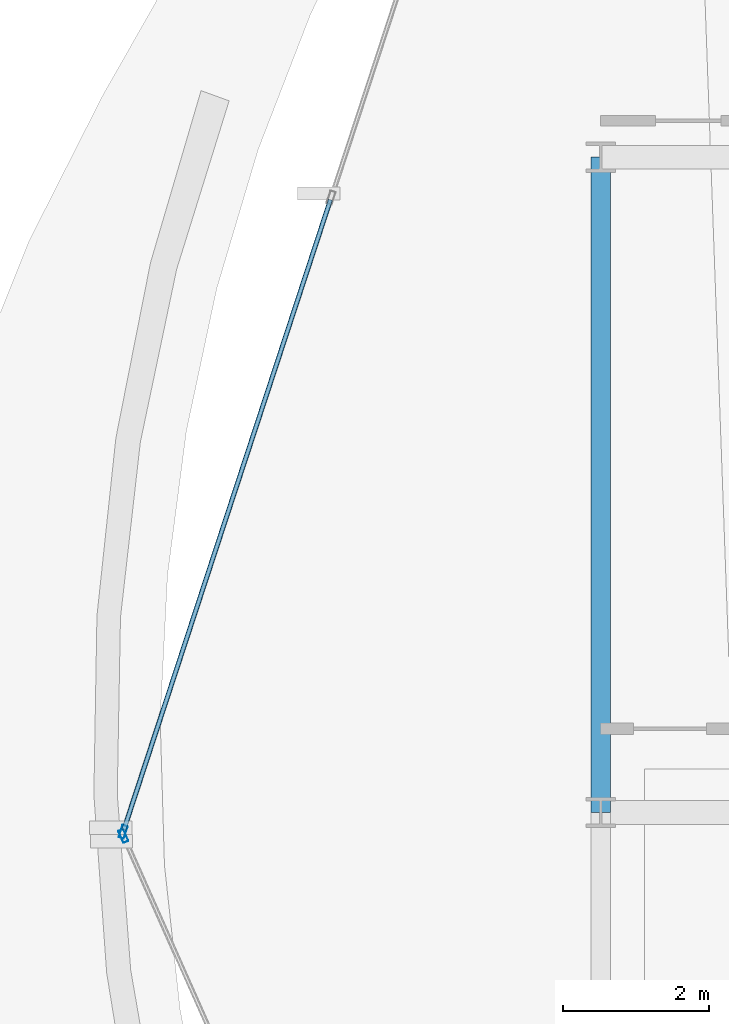
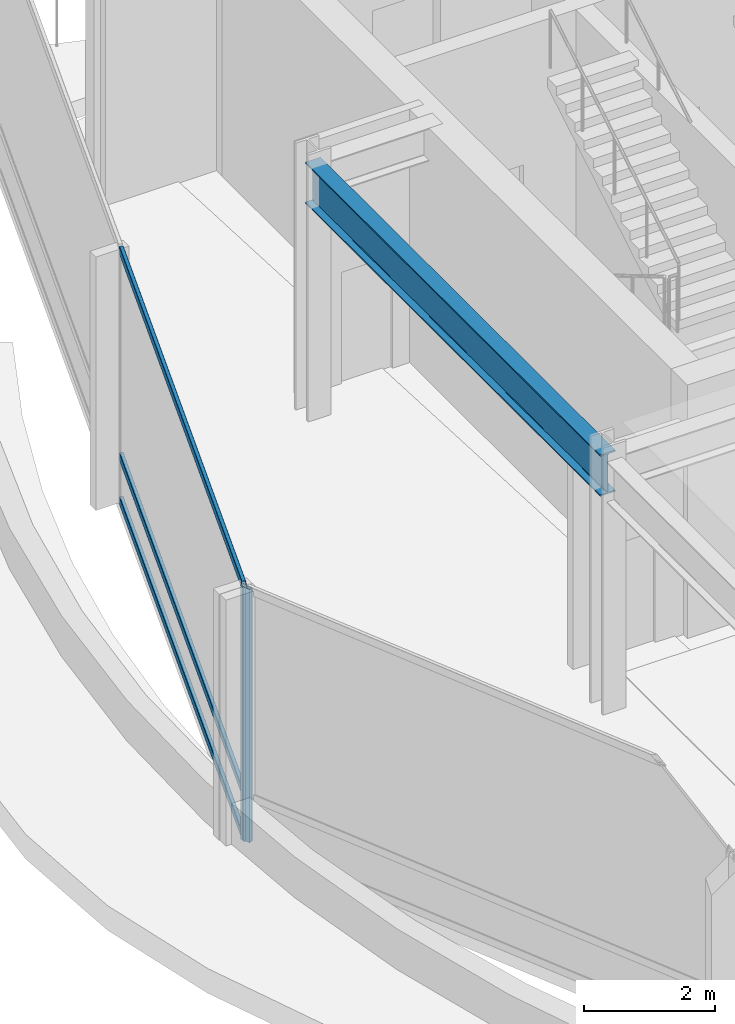
# One storey, part 7 of 29: 5 members, 1 beam, 2 elements without a shape of their own.
"""IFC4 building model written with IfcOpenShell, lengths in metres."""

import ifcopenshell
import ifcopenshell.guid

model = None  # the IFC model being written
_history = None  # IfcOwnerHistory: only IFC2X3 demands one
_inside = {}  # id of a spatial element -> (the spatial element, [elements in it])
_under = {}  # id of a project, library or spatial element -> (it, [spatial elements below it])
_declared = {}  # id of a project -> (the project, [libraries it declares])
_typed = {}  # id of a type object -> (the type object, [elements of that type])
_made_of = {}  # id of a material, layer set ... -> (it, [elements and type objects made of it])


def new_model(schema):
    """Start an empty IFC model of exactly this schema.

    Asked for "IFC4X3", IfcOpenShell would pick the latest addendum, in which some entities
    have other attributes; the version numbers below select the first issue.
    IFC2X3 requires an IfcOwnerHistory on every rooted entity: one is made here for all.
    """
    global model, _history
    if schema == "IFC4X3":
        model = ifcopenshell.file(schema_version=(4, 3, 0, 0))
    else:
        model = ifcopenshell.file(schema=schema)
    _inside.clear()
    _under.clear()
    _declared.clear()
    _typed.clear()
    _made_of.clear()
    _history = None
    if model.schema == "IFC2X3":
        org = make("IfcOrganization", Name="unknown")
        user = make(
            "IfcPersonAndOrganization",
            ThePerson=make("IfcPerson", FamilyName="unknown"),
            TheOrganization=org,
        )
        app = make(
            "IfcApplication",
            ApplicationDeveloper=org,
            Version="unknown",
            ApplicationFullName="unknown",
            ApplicationIdentifier="unknown",
        )
        _history = make(
            "IfcOwnerHistory",
            OwningUser=user,
            OwningApplication=app,
            ChangeAction="ADDED",
            CreationDate=0,
        )
    return model


def make(cls, **values):
    """One entity of the class cls with the attributes given. An attribute that is None is left unset."""
    return model.create_entity(
        cls, **{name: value for name, value in values.items() if value is not None}
    )


def rooted(cls, **values):
    """An entity with a GlobalId (a new one), such as an element, a storey or a relation."""
    return make(cls, GlobalId=ifcopenshell.guid.new(), OwnerHistory=_history, **values)


def si_unit(unit_type, name, prefix=None):
    """IfcSIUnit, for example si_unit("LENGTHUNIT", "METRE", prefix="MILLI")."""
    return make("IfcSIUnit", UnitType=unit_type, Prefix=prefix, Name=name)


def assignment(units):
    """IfcUnitAssignment: the units of a project."""
    return None if units is None else make("IfcUnitAssignment", Units=units)


def point(xyz):
    """IfcCartesianPoint."""
    return None if xyz is None else make("IfcCartesianPoint", Coordinates=xyz)


def direction(xyz):
    """IfcDirection."""
    return None if xyz is None else make("IfcDirection", DirectionRatios=xyz)


def frame(location, z_axis=None, x_axis=None):
    """IfcAxis2Placement3D, a coordinate frame: its origin and axes. An axis left out is left unset."""
    return make(
        "IfcAxis2Placement3D",
        Location=point(location),
        Axis=direction(z_axis),
        RefDirection=direction(x_axis),
    )


def frame_2d(location, x_axis=None):
    """IfcAxis2Placement2D, a coordinate frame in the plane: its origin and x axis."""
    return make(
        "IfcAxis2Placement2D", Location=point(location), RefDirection=direction(x_axis)
    )


def origin():
    """The frame at (0, 0, 0) with its axes left unset."""
    return frame((0.0, 0.0, 0.0))


def origin_2d():
    """The frame at (0, 0) in the plane with its x axis left unset."""
    return frame_2d((0.0, 0.0))


def place(relative_to, where):
    """IfcLocalPlacement: puts the frame where relative to a parent placement (None: the world)."""
    return make(
        "IfcLocalPlacement", PlacementRelTo=relative_to, RelativePlacement=where
    )


def context(
    kind, dimensions, precision=None, world=None, true_north=None, identifier=None
):
    """IfcGeometricRepresentationContext, for example the 3D "Model" context."""
    return make(
        "IfcGeometricRepresentationContext",
        ContextIdentifier=identifier,
        ContextType=kind,
        CoordinateSpaceDimension=dimensions,
        Precision=precision,
        WorldCoordinateSystem=world,
        TrueNorth=true_north,
    )


def subcontext(parent, identifier, kind, view, scale=None):
    """IfcGeometricRepresentationSubContext, for example "Body" below "Model"."""
    return make(
        "IfcGeometricRepresentationSubContext",
        ContextIdentifier=identifier,
        ContextType=kind,
        ParentContext=parent,
        TargetScale=scale,
        TargetView=view,
    )


def project(units=None, contexts=None):
    """IfcProject with its units and contexts."""
    return rooted(
        "IfcProject",
        Name="project",
        RepresentationContexts=contexts,
        UnitsInContext=assignment(units),
    )


def spatial(cls, under=None, at=None, **own):
    """A site, building, storey or space (cls), placed at a placement, below another one or the project."""
    s = rooted(cls, ObjectPlacement=at, **own)
    if under is not None:
        _under.setdefault(under.id(), (under, []))[1].append(s)
    return s


def profile(cls, at=None, kind="AREA", **sizes):
    """A parametric profile (cls). Its sizes go by their IFC names, for example OverallWidth=200.0."""
    return make(cls, ProfileType=kind, Position=at, **sizes)


def hollow_rectangle(**sizes):
    """IfcRectangleHollowProfileDef."""
    return profile("IfcRectangleHollowProfileDef", **sizes)


def i_section(**sizes):
    """IfcIShapeProfileDef."""
    return profile("IfcIShapeProfileDef", **sizes)


def extrude(swept, where, along, depth):
    """IfcExtrudedAreaSolid: the profile swept, set in the frame where, extruded along a direction by depth."""
    return make(
        "IfcExtrudedAreaSolid",
        SweptArea=swept,
        Position=where,
        ExtrudedDirection=direction(along),
        Depth=depth,
    )


def shape(context_of_items, identifier, shape_type, items):
    """IfcShapeRepresentation: the items that make up one representation, for example the "Body"."""
    return make(
        "IfcShapeRepresentation",
        ContextOfItems=context_of_items,
        RepresentationIdentifier=identifier,
        RepresentationType=shape_type,
        Items=items,
    )


def material(Name=None, Category=None):
    """IfcMaterial."""
    return make("IfcMaterial", Name=Name, Category=Category)


def layer(
    of_material, thickness, ventilated=None, Name=None, Category=None, Priority=None
):
    """IfcMaterialLayer: one layer of a wall or slab, of a material (None: an air gap)."""
    return make(
        "IfcMaterialLayer",
        Material=of_material,
        LayerThickness=thickness,
        IsVentilated=ventilated,
        Name=Name,
        Category=Category,
        Priority=Priority,
    )


def layer_set(layers, Name=None):
    """IfcMaterialLayerSet."""
    return make("IfcMaterialLayerSet", MaterialLayers=layers, LayerSetName=Name)


def material_profile(
    of_material, cross_section, Name=None, Category=None, Priority=None
):
    """IfcMaterialProfile: a cross section and its material."""
    return make(
        "IfcMaterialProfile",
        Name=Name,
        Material=of_material,
        Profile=cross_section,
        Priority=Priority,
        Category=Category,
    )


def profile_set(profiles, Name=None, composite=None):
    """IfcMaterialProfileSet."""
    return make(
        "IfcMaterialProfileSet",
        Name=Name,
        MaterialProfiles=profiles,
        CompositeProfile=composite,
    )


def made_of(thing, what):
    """Note that an element or type object is made of a material, layer set ...; save() writes the relation."""
    if what is not None:
        _made_of.setdefault(what.id(), (what, []))[1].append(thing)
    return thing


def type_object(cls, material=None, **own):
    """A type object (cls), such as IfcWallType, which elements share."""
    return made_of(rooted(cls, **own), material)


def element(
    cls,
    number,
    at=None,
    inside=None,
    cuts=None,
    type_object=None,
    material=None,
    context=None,
    identifier="Body",
    shape_type=None,
    held_by="IfcProductDefinitionShape",
    body=None,
    shapes=None,
    **own,
):
    """One element of the class cls, such as IfcWall. Its Tag is "e" and its number.

    at: its placement. inside: the storey or other place that contains it. cuts: it is an
    opening in that element (IfcRelVoidsElement). A single representation is given by context,
    identifier, shape_type and body (its items); several are given by shapes. held_by: the class
    of the entity that holds the representations. save() writes the other relations.
    """
    e = rooted(cls, Tag="e%d" % number, ObjectPlacement=at, **own)
    if body is not None:
        shapes = [shape(context, identifier, shape_type, body)]
    if shapes is not None:
        e.Representation = make(held_by, Representations=shapes)
    if inside is not None:
        _inside.setdefault(inside.id(), (inside, []))[1].append(e)
    if cuts is not None:
        rooted(
            "IfcRelVoidsElement", RelatingBuildingElement=cuts, RelatedOpeningElement=e
        )
    if type_object is not None:
        _typed.setdefault(type_object.id(), (type_object, []))[1].append(e)
    return made_of(e, material)


def aggregate(whole, parts):
    """IfcRelAggregates: a whole, such as a stair, and the parts it consists of."""
    return rooted("IfcRelAggregates", RelatingObject=whole, RelatedObjects=parts)


def save(model, path):
    """Write the relations noted so far, then the file.

    IfcRelAggregates (storeys below a building ...), IfcRelContainedInSpatialStructure (elements
    in a storey), IfcRelDefinesByType, IfcRelAssociatesMaterial and IfcRelDeclares: one each for
    every whole, place, type object, material and project.
    """
    for whole, parts in _under.values():
        aggregate(whole, parts)
    for where, things in _inside.values():
        rooted(
            "IfcRelContainedInSpatialStructure",
            RelatedElements=things,
            RelatingStructure=where,
        )
    for kind, things in _typed.values():
        rooted("IfcRelDefinesByType", RelatedObjects=things, RelatingType=kind)
    for what, things in _made_of.values():
        rooted("IfcRelAssociatesMaterial", RelatedObjects=things, RelatingMaterial=what)
    for by, libraries in _declared.values():
        rooted("IfcRelDeclares", RelatingContext=by, RelatedDefinitions=libraries)
    model.write(path)


model = new_model("IFC4")

# Units and contexts
model_context = context("Model", 3, precision=1e-05, world=origin(), true_north=direction((0.0, 1.0)))
body_context = subcontext(model_context, "Body", "Model", "MODEL_VIEW")
ifc_project = project(units=[si_unit("LENGTHUNIT", "METRE"), si_unit("AREAUNIT", "SQUARE_METRE"), si_unit("VOLUMEUNIT", "CUBIC_METRE"), si_unit("PLANEANGLEUNIT", "RADIAN"), si_unit("MASSUNIT", "GRAM", prefix="KILO")], contexts=[model_context])

# Site, building, storey
site_placement = place(None, origin())
site = spatial("IfcSite", under=ifc_project, at=site_placement, CompositionType="ELEMENT")
building_placement = place(site_placement, origin())
building = spatial("IfcBuilding", under=site, at=building_placement, Name="Solvaryn Broadcast Tower", CompositionType="ELEMENT")
storey_placement = place(building_placement, frame((0.0, 0.0, 169.199951171875)))
storey = spatial("IfcBuildingStorey", under=building, at=storey_placement, Name="L42", CompositionType="ELEMENT", Elevation=169.199951171875)

# Beam
ifc_material_1 = material(Name="Steel ASTM A992 Grade 50", Category="steel")
ifc_material_profile_1 = material_profile(ifc_material_1, i_section(OverallWidth=0.26708984375, OverallDepth=0.76611328125, WebThickness=0.014892578125, FlangeThickness=0.023681640625, FilletRadius=0.01806640625, at=origin_2d()))
ifc_profile_set_1 = profile_set([ifc_material_profile_1], Name="Steel ASTM A992 Grade 50")
beam_type = type_object("IfcBeamType", Name="BM-SP2-W30X124", PredefinedType="USERDEFINED", material=ifc_profile_set_1)
beam_placement = place(storey_placement, frame((9.0, 27.0, 4.337158203125), z_axis=(0.0, 1.0, 0.0), x_axis=(-1.0, 0.0, 0.0)))
element("IfcBeam", 1, at=beam_placement, inside=storey, type_object=beam_type, Name="L42 Spandrel Beam Y (27-36 @ X=9)", ObjectType="SPANDREL", PredefinedType="USERDEFINED", context=body_context, shape_type="SweptSolid", body=[
    extrude(i_section(OverallWidth=0.26708984375, OverallDepth=0.76611328125, WebThickness=0.014892578125, FlangeThickness=0.023681640625, FilletRadius=0.01806640625, at=origin_2d()), origin(), (0.0, 0.0, 1.0), 9.0),
])

# Curtain wall, member
ifc_material_2 = material(Name="Aluminium and Terracotta Unitised Curtain Wall", Category="masonry")
ifc_layer = layer(ifc_material_2, 0.25)
ifc_layer_set = layer_set([ifc_layer], Name="CW-SYS4-SKYGARDEN")
curtain_wall_type = type_object("IfcCurtainWallType", Name="CW-SYS4-SKYGARDEN", PredefinedType="NOTDEFINED", material=ifc_layer_set)
curtain_wall_1_placement = place(storey_placement, origin())
curtain_wall_1 = element("IfcCurtainWall", 2, at=curtain_wall_1_placement, inside=storey, type_object=curtain_wall_type, Name="L42 Curtain Wall DR1", PredefinedType="NOTDEFINED")
ifc_material_3 = material(Name="Anodised Aluminium 6063-T6", Category="aluminium")
ifc_material_profile_2 = material_profile(ifc_material_3, hollow_rectangle(XDim=0.074951171875, YDim=0.179931640625, WallThickness=0.00390625, InnerFilletRadius=0.00390625, OuterFilletRadius=0.008056640625, at=origin_2d()))
ifc_profile_set_2 = profile_set([ifc_material_profile_2], Name="Anodised Aluminium 6063-T6")
member_type_1 = type_object("IfcMemberType", Name="CW-MUL-180", PredefinedType="MULLION", material=ifc_profile_set_2)
member_1_placement = place(storey_placement, frame((2.4423828125, 26.734619140625, 0.0), z_axis=(0.0, 0.0, 1.0), x_axis=(0.950226902099, -0.311558717623, 0.0)))
member_1 = element("IfcMember", 3, at=member_1_placement, type_object=member_type_1, Name="CWS4 mullion 3", PredefinedType="MULLION", context=body_context, shape_type="SweptSolid", body=[
    extrude(hollow_rectangle(XDim=0.074951171875, YDim=0.179931640625, WallThickness=0.00390625, InnerFilletRadius=0.00390625, OuterFilletRadius=0.008056640625, at=origin_2d()), origin(), (0.0, 0.0, 1.0), 4.719970703125),
])

curtain_wall_2_placement = place(storey_placement, origin())
curtain_wall_2 = element("IfcCurtainWall", 4, at=curtain_wall_2_placement, inside=storey, type_object=curtain_wall_type, Name="L42 Curtain Wall DR2", PredefinedType="NOTDEFINED")
member_2_placement = place(storey_placement, frame((2.445068359375, 26.678466796875, 0.0), z_axis=(0.0, 0.0, 1.0), x_axis=(0.913916902365, 0.405901337237, 0.0)))
member_2 = element("IfcMember", 5, at=member_2_placement, type_object=member_type_1, Name="CWS4 mullion 1", PredefinedType="MULLION", context=body_context, shape_type="SweptSolid", body=[
    extrude(hollow_rectangle(XDim=0.074951171875, YDim=0.179931640625, WallThickness=0.00390625, InnerFilletRadius=0.00390625, OuterFilletRadius=0.008056640625, at=origin_2d()), origin(), (0.0, 0.0, 1.0), 4.719970703125),
])
aggregate(curtain_wall_2, [member_2])

# Member
ifc_material_4 = material(Name="Anodised Aluminium 6063-T6", Category="aluminium")
ifc_material_profile_3 = material_profile(ifc_material_4, hollow_rectangle(XDim=0.06494140625, YDim=0.14990234375, WallThickness=0.00390625, InnerFilletRadius=0.00390625, OuterFilletRadius=0.008056640625, at=origin_2d()))
ifc_profile_set_3 = profile_set([ifc_material_profile_3], Name="Anodised Aluminium 6063-T6")
member_type_2 = type_object("IfcMemberType", Name="CW-TRN-150", PredefinedType="USERDEFINED", material=ifc_profile_set_3)
member_3_placement = place(storey_placement, frame((5.28857421875, 35.41552734375, 0.030029296875), z_axis=(-0.311550669172, -0.950229540973, 0.0), x_axis=(0.950229540973, -0.311550669172, 0.0)))
member_3 = element("IfcMember", 6, at=member_3_placement, type_object=member_type_2, Name="CWS4 transom 2.1", ObjectType="TRANSOM", PredefinedType="USERDEFINED", context=body_context, shape_type="SweptSolid", body=[
    extrude(hollow_rectangle(XDim=0.06494140625, YDim=0.14990234375, WallThickness=0.00390625, InnerFilletRadius=0.00390625, OuterFilletRadius=0.008056640625, at=origin_2d()), origin(), (0.0, 0.0, 1.0), 9.105712890625),
])

member_4_placement = place(storey_placement, frame((5.28857421875, 35.41552734375, 0.85009765625), z_axis=(-0.311550669172, -0.950229540973, 0.0), x_axis=(0.950229540973, -0.311550669172, 0.0)))
member_4 = element("IfcMember", 7, at=member_4_placement, type_object=member_type_2, Name="CWS4 transom 2.2", ObjectType="TRANSOM", PredefinedType="USERDEFINED", context=body_context, shape_type="SweptSolid", body=[
    extrude(hollow_rectangle(XDim=0.06494140625, YDim=0.14990234375, WallThickness=0.00390625, InnerFilletRadius=0.00390625, OuterFilletRadius=0.008056640625, at=origin_2d()), origin(), (0.0, 0.0, 1.0), 9.105712890625),
])

member_5_placement = place(storey_placement, frame((5.28857421875, 35.41552734375, 4.68994140625), z_axis=(-0.311550669172, -0.950229540973, 0.0), x_axis=(0.950229540973, -0.311550669172, 0.0)))
member_5 = element("IfcMember", 8, at=member_5_placement, type_object=member_type_2, Name="CWS4 transom 2.3", ObjectType="TRANSOM", PredefinedType="USERDEFINED", context=body_context, shape_type="SweptSolid", body=[
    extrude(hollow_rectangle(XDim=0.06494140625, YDim=0.14990234375, WallThickness=0.00390625, InnerFilletRadius=0.00390625, OuterFilletRadius=0.008056640625, at=origin_2d()), origin(), (0.0, 0.0, 1.0), 9.105712890625),
])

aggregate(curtain_wall_1, [member_1, member_3, member_4, member_5])

save(model, "model.ifc")
